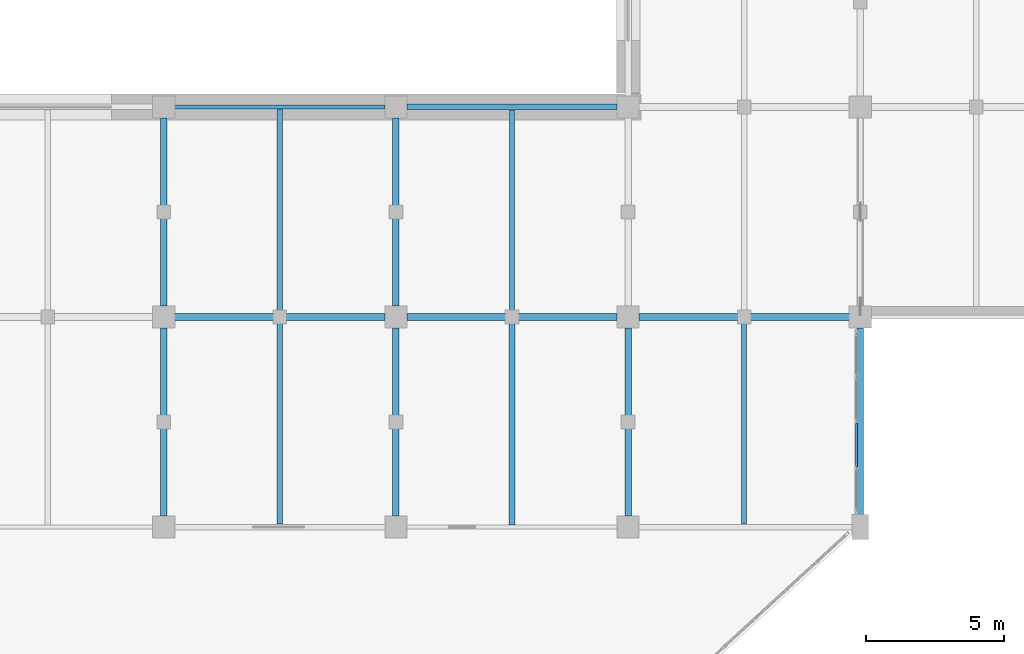
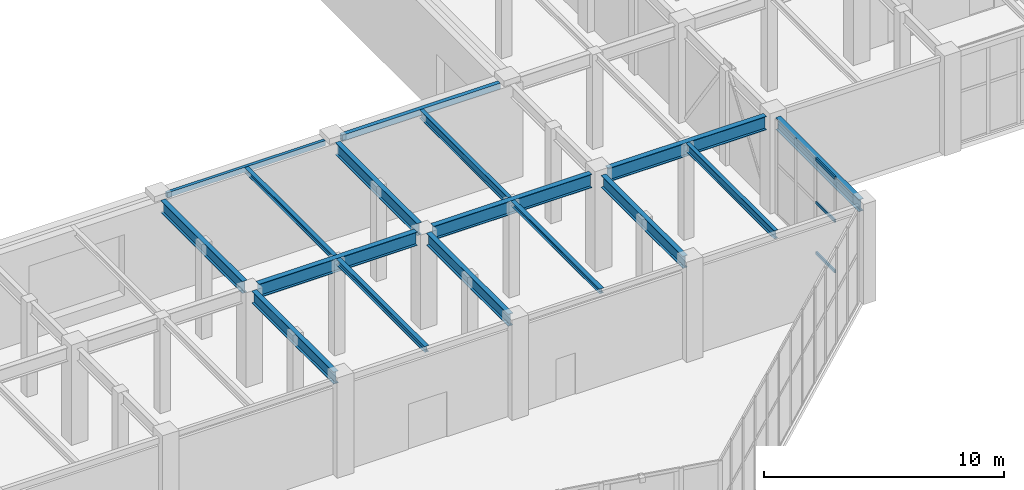
# One storey, part 38 of 128: 16 beams, 3 members, 1 element without a shape of its own.
"""IFC4 building model written with IfcOpenShell, lengths in metres."""

from ifc_helpers import new_model, si_unit, direction, frame, origin, origin_2d, place, context, subcontext, project, spatial, hollow_rectangle, i_section, extrude, material, layer, layer_set, material_profile, profile_set, type_object, element, aggregate, save


model = new_model("IFC4")

# Units and contexts
model_context = context("Model", 3, precision=1e-05, world=origin(), true_north=direction((0.0, 1.0)))
body_context = subcontext(model_context, "Body", "Model", "MODEL_VIEW")
ifc_project = project(units=[si_unit("LENGTHUNIT", "METRE"), si_unit("AREAUNIT", "SQUARE_METRE"), si_unit("VOLUMEUNIT", "CUBIC_METRE"), si_unit("PLANEANGLEUNIT", "RADIAN"), si_unit("MASSUNIT", "GRAM", prefix="KILO")], contexts=[model_context])

# Site, building, storey
site_placement = place(None, origin())
site = spatial("IfcSite", under=ifc_project, at=site_placement, CompositionType="ELEMENT")
building_placement = place(site_placement, origin())
building = spatial("IfcBuilding", under=site, at=building_placement, Name="Xicomal Pleat Aquarium", CompositionType="ELEMENT")
storey_placement = place(building_placement, frame((0.0, 0.0, 5.39990234375)))
storey = spatial("IfcBuildingStorey", under=building, at=storey_placement, Name="L02", CompositionType="ELEMENT", Elevation=5.39990234375)

# Beams
ifc_material_1 = material(Name="Structural steel A992 Gr 50", Category="steel")
ifc_material_profile_1 = material_profile(ifc_material_1, i_section(OverallWidth=0.201904296875, OverallDepth=0.2470703125, WebThickness=0.00732421875, FlangeThickness=0.010986328125, at=origin_2d()), Name="IR 250x49")
ifc_profile_set_1 = profile_set([ifc_material_profile_1], Name="Structural steel A992 Gr 50")
beam_type_1 = type_object("IfcBeamType", Name="BM-STL-IR250", PredefinedType="JOIST", material=ifc_profile_set_1)
for number, where, z_axis, x_axis, name in (
    (1, (73.199951171875, 38.131103515625, 4.696533203125), (0.0, 1.0, 0.0), (-1.0, 0.0, 0.0), "L02 framing beam FBJ-L02-09-F-1"),
    (2, (81.60009765625, 30.47802734375, 4.696533203125), (0.0, 1.0, 0.0), (-1.0, 0.0, 0.0), "L02 framing beam FBJ-L02-10-E-1"),
):
    element("IfcBeam", number, at=place(storey_placement, frame(where, z_axis=z_axis, x_axis=x_axis)), inside=storey, type_object=beam_type_1, Name=name, PredefinedType="JOIST", context=body_context, shape_type="SweptSolid", body=[
        extrude(i_section(OverallWidth=0.201904296875, OverallDepth=0.2470703125, WebThickness=0.00732421875, FlangeThickness=0.010986328125, at=origin_2d()), origin(), (0.0, 0.0, 1.0), 7.390869140625),
    ])
ifc_material_2 = material(Name="Structural steel A992 Gr 50", Category="steel")
ifc_material_profile_2 = material_profile(ifc_material_2, i_section(OverallWidth=0.202880859375, OverallDepth=0.302978515625, WebThickness=0.007568359375, FlangeThickness=0.01318359375, at=origin_2d()), Name="IR 310x60")
ifc_profile_set_2 = profile_set([ifc_material_profile_2], Name="Structural steel A992 Gr 50")
beam_type_2 = type_object("IfcBeamType", Name="BM-STL-IR310", PredefinedType="JOIST", material=ifc_profile_set_2)
beam_1_placement = place(storey_placement, frame((73.199951171875, 30.5029296875, 4.668701171875), z_axis=(0.0, 1.0, 0.0), x_axis=(-1.0, 0.0, 0.0)))
element("IfcBeam", 3, at=beam_1_placement, inside=storey, type_object=beam_type_2, Name="L02 framing beam FBJ-L02-09-E-1", PredefinedType="JOIST", context=body_context, shape_type="SweptSolid", body=[
    extrude(i_section(OverallWidth=0.202880859375, OverallDepth=0.302978515625, WebThickness=0.007568359375, FlangeThickness=0.01318359375, at=origin_2d()), origin(), (0.0, 0.0, 1.0), 7.365966796875),
])
ifc_material_3 = material(Name="Structural steel A992 Gr 50", Category="steel")
ifc_material_profile_3 = material_profile(ifc_material_3, i_section(OverallWidth=0.180908203125, OverallDepth=0.4169921875, WebThickness=0.010986328125, FlangeThickness=0.018310546875, at=origin_2d()), Name="IR 410x85")
ifc_profile_set_3 = profile_set([ifc_material_profile_3], Name="Structural steel A992 Gr 50")
beam_type_3 = type_object("IfcBeamType", Name="BM-STL-IR410", PredefinedType="JOIST", material=ifc_profile_set_3)
for number, where, z_axis, x_axis, name in (
    (4, (81.60009765625, 38.131103515625, 4.611572265625), (0.0, 1.0, 0.0), (-1.0, 0.0, 0.0), "L02 framing beam FBJ-L02-10-F-1"),
    (5, (90.0, 30.5029296875, 4.611572265625), (0.0, 1.0, 0.0), (-1.0, 0.0, 0.0), "L02 framing beam FBJ-L02-11-E-1"),
):
    element("IfcBeam", number, at=place(storey_placement, frame(where, z_axis=z_axis, x_axis=x_axis)), inside=storey, type_object=beam_type_3, Name=name, PredefinedType="JOIST", context=body_context, shape_type="SweptSolid", body=[
        extrude(i_section(OverallWidth=0.180908203125, OverallDepth=0.4169921875, WebThickness=0.010986328125, FlangeThickness=0.018310546875, at=origin_2d()), origin(), (0.0, 0.0, 1.0), 7.365966796875),
    ])
ifc_material_4 = material(Name="Structural steel A992 Gr 50", Category="steel")
ifc_material_profile_4 = material_profile(ifc_material_4, i_section(OverallWidth=0.22998046875, OverallDepth=0.616943359375, WebThickness=0.01318359375, FlangeThickness=0.022216796875, at=origin_2d()), Name="IR 610x140")
ifc_profile_set_4 = profile_set([ifc_material_profile_4], Name="Structural steel A992 Gr 50")
beam_type_4 = type_object("IfcBeamType", Name="BM-STL-IR610", PredefinedType="BEAM", material=ifc_profile_set_4)
for number, where, z_axis, x_axis, name in (
    (6, (69.0, 30.794921875, 4.51171875), (0.0, 1.0, 0.0), (-1.0, 0.0, 0.0), "L02 framing beam FGY-L02-09-E-F"),
    (7, (69.0, 38.39501953125, 4.51171875), (0.0, 1.0, 0.0), (-1.0, 0.0, 0.0), "L02 framing beam FGY-L02-09-F-G"),
    (8, (77.39990234375, 30.794921875, 4.51171875), (0.0, 1.0, 0.0), (-1.0, 0.0, 0.0), "L02 framing beam FGY-L02-10-E-F"),
    (9, (77.39990234375, 38.39501953125, 4.51171875), (0.0, 1.0, 0.0), (-1.0, 0.0, 0.0), "L02 framing beam FGY-L02-10-F-G"),
    (10, (85.800048828125, 30.794921875, 4.51171875), (0.0, 1.0, 0.0), (-1.0, 0.0, 0.0), "L02 framing beam FGY-L02-11-E-F"),
):
    element("IfcBeam", number, at=place(storey_placement, frame(where, z_axis=z_axis, x_axis=x_axis)), inside=storey, type_object=beam_type_4, Name=name, PredefinedType="BEAM", context=body_context, shape_type="SweptSolid", body=[
        extrude(i_section(OverallWidth=0.22998046875, OverallDepth=0.616943359375, WebThickness=0.01318359375, FlangeThickness=0.022216796875, at=origin_2d()), origin(), (0.0, 0.0, 1.0), 6.81005859375),
    ])
beam_2_placement = place(storey_placement, frame((94.199951171875, 30.695068359375, 4.51171875), z_axis=(0.0, 1.0, 0.0), x_axis=(-1.0, 0.0, 0.0)))
element("IfcBeam", 11, at=beam_2_placement, inside=storey, type_object=beam_type_4, Name="L02 framing beam FGY-L02-12-E-F", PredefinedType="BEAM", context=body_context, shape_type="SweptSolid", body=[
    extrude(i_section(OverallWidth=0.22998046875, OverallDepth=0.616943359375, WebThickness=0.01318359375, FlangeThickness=0.022216796875, at=origin_2d()), origin(), (0.0, 0.0, 1.0), 6.909912109375),
])
ifc_material_5 = material(Name="Structural steel A992 Gr 50", Category="steel")
ifc_material_profile_5 = material_profile(ifc_material_5, i_section(OverallWidth=0.256103515625, OverallDepth=0.693115234375, WebThickness=0.014404296875, FlangeThickness=0.023681640625, at=origin_2d()), Name="IR 690x170")
ifc_profile_set_5 = profile_set([ifc_material_profile_5], Name="Structural steel A992 Gr 50")
beam_type_5 = type_object("IfcBeamType", Name="BM-STL-IR690", PredefinedType="BEAM", material=ifc_profile_set_5)
beam_3_placement = place(storey_placement, frame((69.39501953125, 38.0, 4.4736328125), z_axis=(1.0, 0.0, 0.0), x_axis=(0.0, 1.0, 0.0)))
element("IfcBeam", 12, at=beam_3_placement, inside=storey, type_object=beam_type_5, Name="L02 framing beam FGX-L02-09-10-F", PredefinedType="BEAM", context=body_context, shape_type="SweptSolid", body=[
    extrude(i_section(OverallWidth=0.256103515625, OverallDepth=0.693115234375, WebThickness=0.014404296875, FlangeThickness=0.023681640625, at=origin_2d()), origin(), (0.0, 0.0, 1.0), 7.60986328125),
])
beam_4_placement = place(storey_placement, frame((77.794921875, 38.0, 4.4736328125), z_axis=(1.0, 0.0, 0.0), x_axis=(0.0, 1.0, 0.0)))
element("IfcBeam", 13, at=beam_4_placement, inside=storey, type_object=beam_type_5, Name="L02 framing beam FGX-L02-10-11-F", PredefinedType="BEAM", context=body_context, shape_type="SweptSolid", body=[
    extrude(i_section(OverallWidth=0.256103515625, OverallDepth=0.693115234375, WebThickness=0.014404296875, FlangeThickness=0.023681640625, at=origin_2d()), origin(), (0.0, 0.0, 1.0), 7.610107421875),
])
beam_5_placement = place(storey_placement, frame((86.195068359375, 38.0, 4.4736328125), z_axis=(1.0, 0.0, 0.0), x_axis=(0.0, 1.0, 0.0)))
element("IfcBeam", 14, at=beam_5_placement, inside=storey, type_object=beam_type_5, Name="L02 framing beam FGX-L02-11-12-F", PredefinedType="BEAM", context=body_context, shape_type="SweptSolid", body=[
    extrude(i_section(OverallWidth=0.256103515625, OverallDepth=0.693115234375, WebThickness=0.014404296875, FlangeThickness=0.023681640625, at=origin_2d()), origin(), (0.0, 0.0, 1.0), 7.60986328125),
])
ifc_material_6 = material(Name="Structural steel A500 Gr C", Category="steel")
ifc_material_profile_6 = material_profile(ifc_material_6, hollow_rectangle(XDim=0.14990234375, YDim=0.25, WallThickness=0.010009765625, at=origin_2d()), Name="OR 250x150x10")
ifc_profile_set_6 = profile_set([ifc_material_profile_6], Name="Structural steel A500 Gr C")
beam_type_6 = type_object("IfcBeamType", Name="BM-STL-OR250", PredefinedType="SPANDREL", material=ifc_profile_set_6)
beam_6_placement = place(storey_placement, frame((69.39501953125, 45.60009765625, 4.695068359375), z_axis=(1.0, 0.0, 0.0), x_axis=(0.0, 1.0, 0.0)))
element("IfcBeam", 15, at=beam_6_placement, inside=storey, type_object=beam_type_6, Name="L02 framing beam FGX-L02-09-10-G", PredefinedType="SPANDREL", context=body_context, shape_type="SweptSolid", body=[
    extrude(hollow_rectangle(XDim=0.14990234375, YDim=0.25, WallThickness=0.010009765625, at=origin_2d()), origin(), (0.0, 0.0, 1.0), 7.60986328125),
])
ifc_material_7 = material(Name="Structural steel A500 Gr C", Category="steel")
ifc_material_profile_7 = material_profile(ifc_material_7, hollow_rectangle(XDim=0.199951171875, YDim=0.300048828125, WallThickness=0.011962890625, at=origin_2d()), Name="OR 300x200x12")
ifc_profile_set_7 = profile_set([ifc_material_profile_7], Name="Structural steel A500 Gr C")
beam_type_7 = type_object("IfcBeamType", Name="BM-STL-OR300", PredefinedType="SPANDREL", material=ifc_profile_set_7)
beam_7_placement = place(storey_placement, frame((77.794921875, 45.60009765625, 4.670166015625), z_axis=(1.0, 0.0, 0.0), x_axis=(0.0, 1.0, 0.0)))
element("IfcBeam", 16, at=beam_7_placement, inside=storey, type_object=beam_type_7, Name="L02 framing beam FGX-L02-10-11-G", PredefinedType="SPANDREL", context=body_context, shape_type="SweptSolid", body=[
    extrude(hollow_rectangle(XDim=0.199951171875, YDim=0.300048828125, WallThickness=0.011962890625, at=origin_2d()), origin(), (0.0, 0.0, 1.0), 7.610107421875),
])

# Curtain wall, members
ifc_material_8 = material(Name="Bronze anodized aluminium 6063-T6", Category="aluminium")
ifc_layer = layer(ifc_material_8, 0.159912109375)
ifc_layer_set = layer_set([ifc_layer], Name="Bronze anodized aluminium 6063-T6")
curtain_wall_type = type_object("IfcCurtainWallType", Name="CW-SYS-07", PredefinedType="NOTDEFINED", material=ifc_layer_set)
curtain_wall_placement = place(storey_placement, origin())
curtain_wall = element("IfcCurtainWall", 17, at=curtain_wall_placement, inside=storey, type_object=curtain_wall_type, Name="L02 unitised curtain wall CW-L02-118", PredefinedType="NOTDEFINED")
ifc_material_9 = material(Name="Bronze anodized aluminium 6063-T6", Category="aluminium")
ifc_material_profile_8 = material_profile(ifc_material_9, hollow_rectangle(XDim=0.074951171875, YDim=0.14990234375, WallThickness=0.00439453125, at=origin_2d()), Name="ALU TRAN 75x150")
ifc_profile_set_8 = profile_set([ifc_material_profile_8], Name="Bronze anodized aluminium 6063-T6")
member_type = type_object("IfcMemberType", Name="CWT-75x150", PredefinedType="USERDEFINED", material=ifc_profile_set_8)
member_1_placement = place(storey_placement, frame((94.06005859375, 34.16259765625, 0.03759765625), z_axis=(0.0, -1.0, 0.0), x_axis=(1.0, 0.0, 0.0)))
member_1 = element("IfcMember", 18, at=member_1_placement, type_object=member_type, Name="CW-07 transom 3.1", ObjectType="TRANSOM", PredefinedType="USERDEFINED", context=body_context, shape_type="SweptSolid", body=[
    extrude(hollow_rectangle(XDim=0.074951171875, YDim=0.14990234375, WallThickness=0.00439453125, at=origin_2d()), origin(), (0.0, 0.0, 1.0), 1.565185546875),
])
member_2_placement = place(storey_placement, frame((94.06005859375, 34.16259765625, 2.60302734375), z_axis=(0.0, -1.0, 0.0), x_axis=(1.0, 0.0, 0.0)))
member_2 = element("IfcMember", 19, at=member_2_placement, type_object=member_type, Name="CW-07 transom 3.2", ObjectType="TRANSOM", PredefinedType="USERDEFINED", context=body_context, shape_type="SweptSolid", body=[
    extrude(hollow_rectangle(XDim=0.074951171875, YDim=0.14990234375, WallThickness=0.00439453125, at=origin_2d()), origin(), (0.0, 0.0, 1.0), 1.565185546875),
])
member_3_placement = place(storey_placement, frame((94.06005859375, 34.16259765625, 4.78271484375), z_axis=(0.0, -1.0, 0.0), x_axis=(1.0, 0.0, 0.0)))
member_3 = element("IfcMember", 20, at=member_3_placement, type_object=member_type, Name="CW-07 transom 3.3", ObjectType="TRANSOM", PredefinedType="USERDEFINED", context=body_context, shape_type="SweptSolid", body=[
    extrude(hollow_rectangle(XDim=0.074951171875, YDim=0.14990234375, WallThickness=0.00439453125, at=origin_2d()), origin(), (0.0, 0.0, 1.0), 1.565185546875),
])
aggregate(curtain_wall, [member_1, member_2, member_3])

save(model, "model.ifc")
